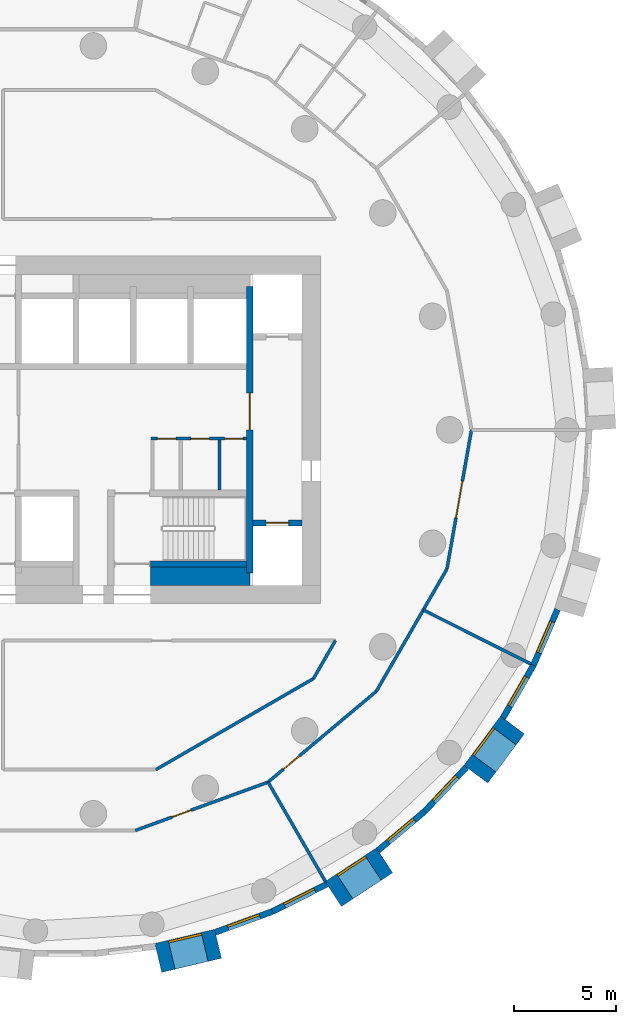
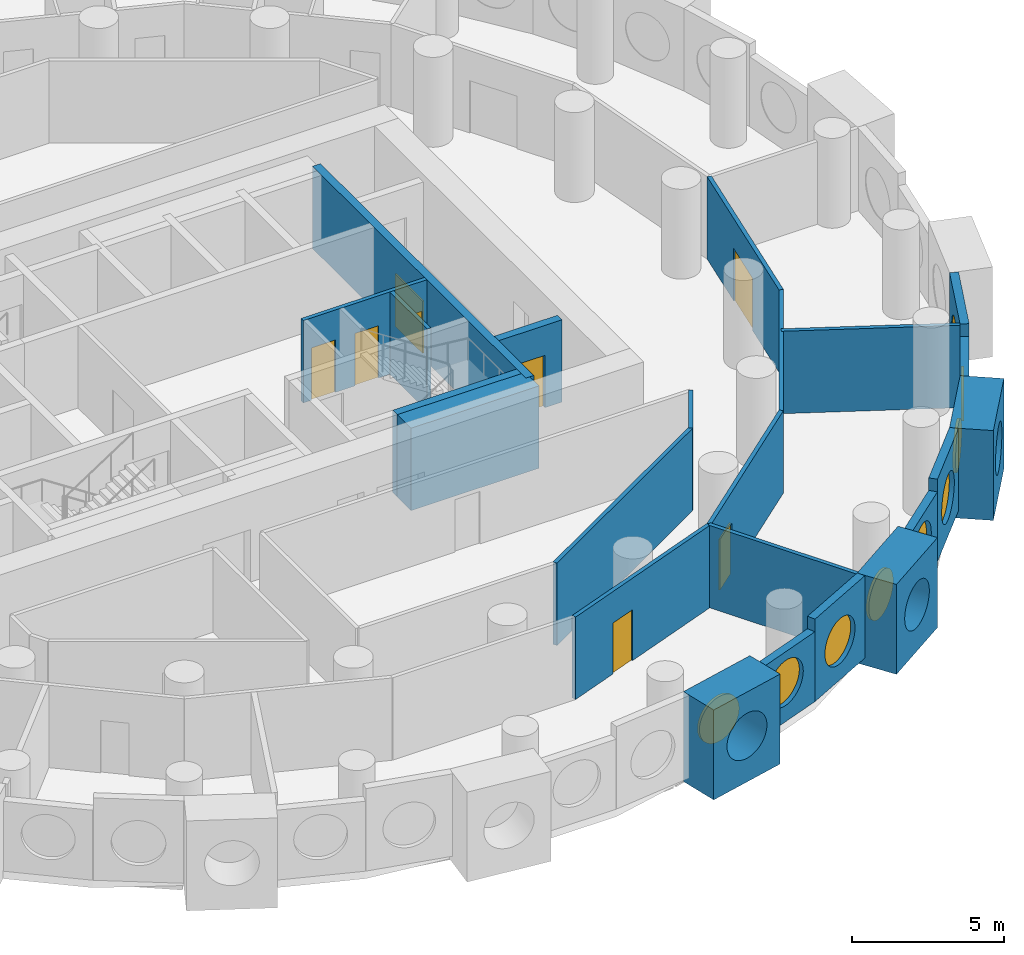
# One storey, part 4 of 9: 23 walls, 9 windows, 8 doors, 17 openings.
"""IFC4 building model written with IfcOpenShell, lengths in metres."""

from ifc_helpers import new_model, si_unit, direction, frame, frame_2d, origin, origin_2d, place, context, subcontext, project, spatial, rectangle, circle, extrude, material, layer, layer_set, type_object, element, fill, save


model = new_model("IFC4")

# Units and contexts
model_context = context("Model", 3, precision=1e-05, world=origin(), true_north=direction((0.0, 1.0)))
body_context = subcontext(model_context, "Body", "Model", "MODEL_VIEW")
ifc_project = project(units=[si_unit("LENGTHUNIT", "METRE"), si_unit("AREAUNIT", "SQUARE_METRE"), si_unit("VOLUMEUNIT", "CUBIC_METRE"), si_unit("PLANEANGLEUNIT", "RADIAN"), si_unit("MASSUNIT", "GRAM", prefix="KILO")], contexts=[model_context])

# Site, building, storey
site_placement = place(None, origin())
site = spatial("IfcSite", under=ifc_project, at=site_placement, CompositionType="ELEMENT")
building_placement = place(site_placement, origin())
building = spatial("IfcBuilding", under=site, at=building_placement, Name="Tracery Tower", CompositionType="ELEMENT")
storey_placement = place(building_placement, frame((0.0, 0.0, 154.800048828125)))
storey = spatial("IfcBuildingStorey", under=building, at=storey_placement, Name="L39", CompositionType="ELEMENT", Elevation=154.800048828125)

# Wall, openings, doors
ifc_material_1 = material(Name="Plasterboard on steel studs", Category="steel")
ifc_layer_1 = layer(ifc_material_1, 0.14990234375)
ifc_layer_set_1 = layer_set([ifc_layer_1], Name="Core room partition 150")
wall_type_1 = type_object("IfcWallType", Name="Core room partition 150", PredefinedType="SOLIDWALL", material=ifc_layer_set_1)
wall_1_placement = place(storey_placement, frame((4.22509765625, -0.425048828125, 0.0), z_axis=(0.0, 0.0, 1.0), x_axis=(1.0, 0.0, 0.0)))
wall_1 = element("IfcWall", 1, at=wall_1_placement, inside=storey, type_object=wall_type_1, Name="L39 slot N", PredefinedType="SOLIDWALL", context=body_context, shape_type="SweptSolid", body=[
    extrude(rectangle(XDim=4.6748046875, YDim=0.14990234375, at=frame_2d((2.33740234375, 0.0))), origin(), (0.0, 0.0, 1.0), 3.300048828125),
])
opening_1_placement = place(wall_1_placement, frame((0.3125, 0.0, 0.0)))
opening_1 = element("IfcOpeningElement", 2, at=opening_1_placement, cuts=wall_1, Name="Opening KD32", PredefinedType="OPENING", context=body_context, shape_type="SweptSolid", body=[
    extrude(rectangle(XDim=0.89990234375, YDim=2.10009765625, at=frame_2d((0.449951171875, 1.050048828125))), frame((0.0, 0.074951171875, 0.0), z_axis=(0.0, -1.0, 0.0), x_axis=(1.0, 0.0, 0.0)), (0.0, 0.0, 1.0), 0.14990234375),
])
opening_2_placement = place(wall_1_placement, frame((1.949951171875, 0.0, 0.0)))
opening_2 = element("IfcOpeningElement", 3, at=opening_2_placement, cuts=wall_1, Name="Opening KD21", PredefinedType="OPENING", context=body_context, shape_type="SweptSolid", body=[
    extrude(rectangle(XDim=0.89990234375, YDim=2.10009765625, at=frame_2d((0.449951171875, 1.050048828125))), frame((0.0, 0.074951171875, 0.0), z_axis=(0.0, -1.0, 0.0), x_axis=(1.0, 0.0, 0.0)), (0.0, 0.0, 1.0), 0.14990234375),
])
opening_3_placement = place(wall_1_placement, frame((3.60009765625, 0.0, 0.0)))
opening_3 = element("IfcOpeningElement", 4, at=opening_3_placement, cuts=wall_1, Name="Opening KD27", PredefinedType="OPENING", context=body_context, shape_type="SweptSolid", body=[
    extrude(rectangle(XDim=0.89990234375, YDim=2.10009765625, at=frame_2d((0.449951171875, 1.050048828125))), frame((0.0, 0.074951171875, 0.0), z_axis=(0.0, -1.0, 0.0), x_axis=(1.0, 0.0, 0.0)), (0.0, 0.0, 1.0), 0.14990234375),
])
ifc_material_2 = material(Name="Timber door leaf", Category="wood")
door_type_1 = type_object("IfcDoorType", Name="Core WC door 900", OperationType="NOTDEFINED", PredefinedType="DOOR", material=ifc_material_2)
door_1_placement = place(opening_2_placement, origin())
door_1 = element("IfcDoor", 5, at=door_1_placement, inside=storey, type_object=door_type_1, Name="Core door", OperationType="SINGLE_SWING_LEFT", OverallHeight=2.10009765625, OverallWidth=0.89990234375, PredefinedType="DOOR", context=body_context, shape_type="SweptSolid", body=[
    extrude(rectangle(XDim=0.89990234375, YDim=2.10009765625, at=frame_2d((0.449951171875, 1.050048828125))), frame((0.0, 0.02490234375, 0.0), z_axis=(0.0, -1.0, 0.0), x_axis=(1.0, 0.0, 0.0)), (0.0, 0.0, 1.0), 0.050048828125),
])
fill(opening_2, door_1)
ifc_material_3 = material(Name="Steel fire door", Category="steel")
door_type_2 = type_object("IfcDoorType", Name="Core riser door 900", OperationType="NOTDEFINED", PredefinedType="DOOR", material=ifc_material_3)
door_2_placement = place(opening_1_placement, origin())
door_2 = element("IfcDoor", 6, at=door_2_placement, inside=storey, type_object=door_type_2, Name="Core door", OperationType="SINGLE_SWING_RIGHT", OverallHeight=2.10009765625, OverallWidth=0.89990234375, PredefinedType="DOOR", context=body_context, shape_type="SweptSolid", body=[
    extrude(rectangle(XDim=0.89990234375, YDim=2.10009765625, at=frame_2d((0.449951171875, 1.050048828125))), frame((0.0, 0.02490234375, 0.0), z_axis=(0.0, -1.0, 0.0), x_axis=(1.0, 0.0, 0.0)), (0.0, 0.0, 1.0), 0.050048828125),
])
fill(opening_1, door_2)
ifc_material_4 = material(Name="Timber door leaf", Category="wood")
door_type_3 = type_object("IfcDoorType", Name="Core store door 900", OperationType="NOTDEFINED", PredefinedType="DOOR", material=ifc_material_4)
door_3_placement = place(opening_3_placement, origin())
door_3 = element("IfcDoor", 7, at=door_3_placement, inside=storey, type_object=door_type_3, Name="Core door", OperationType="SINGLE_SWING_RIGHT", OverallHeight=2.10009765625, OverallWidth=0.89990234375, PredefinedType="DOOR", context=body_context, shape_type="SweptSolid", body=[
    extrude(rectangle(XDim=0.89990234375, YDim=2.10009765625, at=frame_2d((0.449951171875, 1.050048828125))), frame((0.0, 0.02490234375, 0.0), z_axis=(0.0, -1.0, 0.0), x_axis=(1.0, 0.0, 0.0)), (0.0, 0.0, 1.0), 0.050048828125),
])
fill(opening_3, door_3)

# Walls
wall_2_placement = place(storey_placement, frame((7.574951171875, -2.949951171875, 0.0), z_axis=(0.0, 0.0, 1.0), x_axis=(0.0, 1.0, 0.0)))
element("IfcWall", 8, at=wall_2_placement, inside=storey, type_object=wall_type_1, Name="L39 slot sep 2", PredefinedType="SOLIDWALL", context=body_context, shape_type="SweptSolid", body=[
    extrude(rectangle(XDim=2.449951171875, YDim=0.14990234375, at=frame_2d((1.22509765625, 0.0))), origin(), (0.0, 0.0, 1.0), 3.300048828125),
])
ifc_material_5 = material(Name="Concrete C50/60", Category="concrete")
ifc_layer_2 = layer(ifc_material_5, 0.89990234375)
ifc_layer_set_2 = layer_set([ifc_layer_2], Name="Core strip wall 900 C50")
wall_type_2 = type_object("IfcWallType", Name="Core strip wall 900 C50", PredefinedType="SOLIDWALL", material=ifc_layer_set_2)
wall_3_placement = place(storey_placement, frame((4.199951171875, -7.14990234375, 0.0), z_axis=(0.0, 0.0, 1.0), x_axis=(1.0, 0.0, 0.0)))
element("IfcWall", 9, at=wall_3_placement, inside=storey, type_object=wall_type_2, Name="L39 F thick S E", PredefinedType="SOLIDWALL", context=body_context, shape_type="SweptSolid", body=[
    extrude(rectangle(XDim=4.85009765625, YDim=0.89990234375, at=frame_2d((2.425048828125, 0.0))), origin(), (0.0, 0.0, 1.0), 3.300048828125),
])

# Wall, opening, window
ifc_material_6 = material(Name="Precast concrete C50/60", Category="concrete")
ifc_layer_3 = layer(ifc_material_6, 1.449951171875)
ifc_layer_set_3 = layer_set([ifc_layer_3], Name="Deep-set bay unit 3000 x 3600, slab edge 300")
wall_type_3 = type_object("IfcWallType", Name="Deep-set bay unit 3000 x 3600, slab edge 300", PredefinedType="ELEMENTEDWALL", material=ifc_layer_set_3)
wall_4_placement = place(storey_placement, frame((4.57763671875, -25.8193359375, -0.300048828125), z_axis=(0.0, 0.0, 1.0), x_axis=(0.973042333261, 0.23062657627, 0.0)))
wall_4 = element("IfcWall", 10, at=wall_4_placement, inside=storey, type_object=wall_type_3, Name="Deep-set bay unit 43 at L39", PredefinedType="ELEMENTEDWALL", context=body_context, shape_type="SweptSolid", body=[
    extrude(rectangle(XDim=3.0, YDim=1.449951171875, at=frame_2d((1.5, 0.0))), origin(), (0.0, 0.0, 1.0), 3.60009765625),
])
opening_4_placement = place(wall_4_placement, frame((1.5, 0.0, 1.85009765625)))
opening_4 = element("IfcOpeningElement", 11, at=opening_4_placement, cuts=wall_4, Name="Opening WN1", PredefinedType="OPENING", context=body_context, shape_type="SweptSolid", body=[
    extrude(circle(Radius=0.9000244140625, at=origin_2d()), frame((0.0, 0.73486328125, 0.0), z_axis=(0.0, -1.0, 0.0), x_axis=(1.0, 0.0, 0.0)), (0.0, 0.0, 1.0), 1.469970703125),
])
ifc_material_7 = material(Name="Aluminium frame with tinted double glazing", Category="aluminium")
window_type = type_object("IfcWindowType", Name="Round window 1800", PartitioningType="SINGLE_PANEL", PredefinedType="WINDOW", material=ifc_material_7)
window_1_placement = place(opening_4_placement, origin())
window_1 = element("IfcWindow", 12, at=window_1_placement, inside=storey, type_object=window_type, Name="Round window 43 at L39", OverallHeight=1.800048828125, OverallWidth=1.800048828125, PartitioningType="SINGLE_PANEL", PredefinedType="WINDOW", context=body_context, shape_type="SweptSolid", body=[
    extrude(circle(Radius=0.9000244140625, at=origin_2d()), frame((0.0, 0.69482421875, 0.0), z_axis=(0.0, -1.0, 0.0), x_axis=(1.0, 0.0, 0.0)), (0.0, 0.0, 1.0), 0.10009765625),
])
fill(opening_4, window_1)

wall_5_placement = place(storey_placement, frame((13.13232421875, -22.696533203125, -0.300048828125), z_axis=(0.0, 0.0, 1.0), x_axis=(0.835514416706, 0.549468524554, 0.0)))
wall_5 = element("IfcWall", 13, at=wall_5_placement, inside=storey, type_object=wall_type_3, Name="Deep-set bay unit 46 at L39", PredefinedType="ELEMENTEDWALL", context=body_context, shape_type="SweptSolid", body=[
    extrude(rectangle(XDim=3.0, YDim=1.449951171875, at=frame_2d((1.5, 0.0))), origin(), (0.0, 0.0, 1.0), 3.60009765625),
])
opening_5_placement = place(wall_5_placement, frame((1.5, 0.0, 1.85009765625)))
opening_5 = element("IfcOpeningElement", 14, at=opening_5_placement, cuts=wall_5, Name="Opening WN1", PredefinedType="OPENING", context=body_context, shape_type="SweptSolid", body=[
    extrude(circle(Radius=0.9000244140625, at=origin_2d()), frame((0.0, 0.73486328125, 0.0), z_axis=(0.0, -1.0, 0.0), x_axis=(1.0, 0.0, 0.0)), (0.0, 0.0, 1.0), 1.469970703125),
])
window_2_placement = place(opening_5_placement, origin())
window_2 = element("IfcWindow", 15, at=window_2_placement, inside=storey, type_object=window_type, Name="Round window 46 at L39", OverallHeight=1.800048828125, OverallWidth=1.800048828125, PartitioningType="SINGLE_PANEL", PredefinedType="WINDOW", context=body_context, shape_type="SweptSolid", body=[
    extrude(circle(Radius=0.9000244140625, at=origin_2d()), frame((0.0, 0.69482421875, 0.0), z_axis=(0.0, -1.0, 0.0), x_axis=(1.0, 0.0, 0.0)), (0.0, 0.0, 1.0), 0.10009765625),
])
fill(opening_5, window_2)

wall_6_placement = place(storey_placement, frame((20.10302734375, -16.836181640625, -0.300048828125), z_axis=(0.0, 0.0, 1.0), x_axis=(0.597183717734, 0.802104486506, 0.0)))
wall_6 = element("IfcWall", 16, at=wall_6_placement, inside=storey, type_object=wall_type_3, Name="Deep-set bay unit 49 at L39", PredefinedType="ELEMENTEDWALL", context=body_context, shape_type="SweptSolid", body=[
    extrude(rectangle(XDim=3.0, YDim=1.449951171875, at=frame_2d((1.5, 0.0))), origin(), (0.0, 0.0, 1.0), 3.60009765625),
])
opening_6_placement = place(wall_6_placement, frame((1.5, 0.0, 1.85009765625)))
opening_6 = element("IfcOpeningElement", 17, at=opening_6_placement, cuts=wall_6, Name="Opening WN1", PredefinedType="OPENING", context=body_context, shape_type="SweptSolid", body=[
    extrude(circle(Radius=0.9000244140625, at=origin_2d()), frame((0.0, 0.73486328125, 0.0), z_axis=(0.0, -1.0, 0.0), x_axis=(1.0, 0.0, 0.0)), (0.0, 0.0, 1.0), 1.469970703125),
])
window_3_placement = place(opening_6_placement, origin())
window_3 = element("IfcWindow", 18, at=window_3_placement, inside=storey, type_object=window_type, Name="Round window 49 at L39", OverallHeight=1.800048828125, OverallWidth=1.800048828125, PartitioningType="SINGLE_PANEL", PredefinedType="WINDOW", context=body_context, shape_type="SweptSolid", body=[
    extrude(circle(Radius=0.9000244140625, at=origin_2d()), frame((0.0, 0.69482421875, 0.0), z_axis=(0.0, -1.0, 0.0), x_axis=(1.0, 0.0, 0.0)), (0.0, 0.0, 1.0), 0.10009765625),
])
fill(opening_6, window_3)

ifc_material_8 = material(Name="Precast concrete C50/60", Category="concrete")
ifc_layer_4 = layer(ifc_material_8, 0.300048828125)
ifc_layer_set_4 = layer_set([ifc_layer_4], Name="Facade panel 3000 x 2800")
wall_type_4 = type_object("IfcWallType", Name="Facade panel 3000 x 2800", PredefinedType="SOLIDWALL", material=ifc_layer_set_4)
wall_7_placement = place(storey_placement, frame((7.36474609375, -24.566650390625, 0.0), z_axis=(0.0, 0.0, 1.0), x_axis=(0.939690282133, 0.342026568652, 0.0)))
wall_7 = element("IfcWall", 19, at=wall_7_placement, inside=storey, type_object=wall_type_4, Name="Facade panel 44 at L39", PredefinedType="SOLIDWALL", context=body_context, shape_type="SweptSolid", body=[
    extrude(rectangle(XDim=2.972900390625, YDim=0.300048828125, at=frame_2d((1.486328125, 0.0))), origin(), (0.0, 0.0, 1.0), 2.800048828125),
])
opening_7_placement = place(wall_7_placement, frame((1.486328125, 0.0, 1.5498046875)))
opening_7 = element("IfcOpeningElement", 20, at=opening_7_placement, cuts=wall_7, Name="Opening WN1", PredefinedType="OPENING", context=body_context, shape_type="SweptSolid", body=[
    extrude(circle(Radius=0.9000244140625, at=origin_2d()), frame((0.0, 0.159912109375, 0.0), z_axis=(0.0, -1.0, 0.0), x_axis=(1.0, 0.0, 0.0)), (0.0, 0.0, 1.0), 0.320068359375),
])
window_4_placement = place(opening_7_placement, origin())
window_4 = element("IfcWindow", 21, at=window_4_placement, inside=storey, type_object=window_type, Name="Round window 44 at L39", OverallHeight=1.800048828125, OverallWidth=1.800048828125, PartitioningType="SINGLE_PANEL", PredefinedType="WINDOW", context=body_context, shape_type="SweptSolid", body=[
    extrude(circle(Radius=0.9000244140625, at=origin_2d()), frame((0.0, 0.1201171875, 0.0), z_axis=(0.0, -1.0, 0.0), x_axis=(1.0, 0.0, 0.0)), (0.0, 0.0, 1.0), 0.10009765625),
])
fill(opening_7, window_4)

wall_8_placement = place(storey_placement, frame((15.322998046875, -20.566162109375, 0.0), z_axis=(0.0, 0.0, 1.0), x_axis=(0.766049350637, 0.642781761089, 0.0)))
wall_8 = element("IfcWall", 22, at=wall_8_placement, inside=storey, type_object=wall_type_4, Name="Facade panel 47 at L39", PredefinedType="SOLIDWALL", context=body_context, shape_type="SweptSolid", body=[
    extrude(rectangle(XDim=2.972900390625, YDim=0.300048828125, at=frame_2d((1.486328125, 0.0))), origin(), (0.0, 0.0, 1.0), 2.800048828125),
])
opening_8_placement = place(wall_8_placement, frame((1.486328125, 0.0, 1.5498046875)))
opening_8 = element("IfcOpeningElement", 23, at=opening_8_placement, cuts=wall_8, Name="Opening WN1", PredefinedType="OPENING", context=body_context, shape_type="SweptSolid", body=[
    extrude(circle(Radius=0.9000244140625, at=origin_2d()), frame((0.0, 0.159912109375, 0.0), z_axis=(0.0, -1.0, 0.0), x_axis=(1.0, 0.0, 0.0)), (0.0, 0.0, 1.0), 0.320068359375),
])
window_5_placement = place(opening_8_placement, origin())
window_5 = element("IfcWindow", 24, at=window_5_placement, inside=storey, type_object=window_type, Name="Round window 47 at L39", OverallHeight=1.800048828125, OverallWidth=1.800048828125, PartitioningType="SINGLE_PANEL", PredefinedType="WINDOW", context=body_context, shape_type="SweptSolid", body=[
    extrude(circle(Radius=0.9000244140625, at=origin_2d()), frame((0.0, 0.1201171875, 0.0), z_axis=(0.0, -1.0, 0.0), x_axis=(1.0, 0.0, 0.0)), (0.0, 0.0, 1.0), 0.10009765625),
])
fill(opening_8, window_5)

wall_9_placement = place(storey_placement, frame((21.432861328125, -14.085205078125, 0.0), z_axis=(0.0, 0.0, 1.0), x_axis=(0.500016263033, 0.866016014115, 0.0)))
wall_9 = element("IfcWall", 25, at=wall_9_placement, inside=storey, type_object=wall_type_4, Name="Facade panel 50 at L39", PredefinedType="SOLIDWALL", context=body_context, shape_type="SweptSolid", body=[
    extrude(rectangle(XDim=2.97314453125, YDim=0.300048828125, at=frame_2d((1.486572265625, 0.0))), origin(), (0.0, 0.0, 1.0), 2.800048828125),
])
opening_9_placement = place(wall_9_placement, frame((1.486328125, 0.0, 1.5498046875)))
opening_9 = element("IfcOpeningElement", 26, at=opening_9_placement, cuts=wall_9, Name="Opening WN1", PredefinedType="OPENING", context=body_context, shape_type="SweptSolid", body=[
    extrude(circle(Radius=0.9000244140625, at=origin_2d()), frame((0.0, 0.159912109375, 0.0), z_axis=(0.0, -1.0, 0.0), x_axis=(1.0, 0.0, 0.0)), (0.0, 0.0, 1.0), 0.320068359375),
])
window_6_placement = place(opening_9_placement, origin())
window_6 = element("IfcWindow", 27, at=window_6_placement, inside=storey, type_object=window_type, Name="Round window 50 at L39", OverallHeight=1.800048828125, OverallWidth=1.800048828125, PartitioningType="SINGLE_PANEL", PredefinedType="WINDOW", context=body_context, shape_type="SweptSolid", body=[
    extrude(circle(Radius=0.9000244140625, at=origin_2d()), frame((0.0, 0.1201171875, 0.0), z_axis=(0.0, -1.0, 0.0), x_axis=(1.0, 0.0, 0.0)), (0.0, 0.0, 1.0), 0.10009765625),
])
fill(opening_9, window_6)

ifc_material_9 = material(Name="Precast concrete C50/60", Category="concrete")
ifc_layer_5 = layer(ifc_material_9, 0.300048828125)
ifc_layer_set_5 = layer_set([ifc_layer_5], Name="Facade panel 3000 x 3300")
wall_type_5 = type_object("IfcWallType", Name="Facade panel 3000 x 3300", PredefinedType="SOLIDWALL", material=ifc_layer_set_5)
wall_10_placement = place(storey_placement, frame((10.158447265625, -23.5498046875, 0.0), z_axis=(0.0, 0.0, 1.0), x_axis=(0.893637442555, 0.448789618045, 0.0)))
wall_10 = element("IfcWall", 28, at=wall_10_placement, inside=storey, type_object=wall_type_5, Name="Facade panel 45 at L39", PredefinedType="SOLIDWALL", context=body_context, shape_type="SweptSolid", body=[
    extrude(rectangle(XDim=2.972900390625, YDim=0.300048828125, at=frame_2d((1.486328125, 0.0))), origin(), (0.0, 0.0, 1.0), 3.300048828125),
])
opening_10_placement = place(wall_10_placement, frame((1.486328125, 0.0, 1.5498046875)))
opening_10 = element("IfcOpeningElement", 29, at=opening_10_placement, cuts=wall_10, Name="Opening WN1", PredefinedType="OPENING", context=body_context, shape_type="SweptSolid", body=[
    extrude(circle(Radius=0.9000244140625, at=origin_2d()), frame((0.0, 0.159912109375, 0.0), z_axis=(0.0, -1.0, 0.0), x_axis=(1.0, 0.0, 0.0)), (0.0, 0.0, 1.0), 0.320068359375),
])
window_7_placement = place(opening_10_placement, origin())
window_7 = element("IfcWindow", 30, at=window_7_placement, inside=storey, type_object=window_type, Name="Round window 45 at L39", OverallHeight=1.800048828125, OverallWidth=1.800048828125, PartitioningType="SINGLE_PANEL", PredefinedType="WINDOW", context=body_context, shape_type="SweptSolid", body=[
    extrude(circle(Radius=0.9000244140625, at=origin_2d()), frame((0.0, 0.1201171875, 0.0), z_axis=(0.0, -1.0, 0.0), x_axis=(1.0, 0.0, 0.0)), (0.0, 0.0, 1.0), 0.10009765625),
])
fill(opening_10, window_7)

wall_11_placement = place(storey_placement, frame((17.600341796875, -18.6552734375, 0.0), z_axis=(0.0, 0.0, 1.0), x_axis=(0.686235184166, 0.727379730273, 0.0)))
wall_11 = element("IfcWall", 31, at=wall_11_placement, inside=storey, type_object=wall_type_5, Name="Facade panel 48 at L39", PredefinedType="SOLIDWALL", context=body_context, shape_type="SweptSolid", body=[
    extrude(rectangle(XDim=2.972900390625, YDim=0.300048828125, at=frame_2d((1.486328125, 0.0))), origin(), (0.0, 0.0, 1.0), 3.300048828125),
])
opening_11_placement = place(wall_11_placement, frame((1.486328125, 0.0, 1.5498046875)))
opening_11 = element("IfcOpeningElement", 32, at=opening_11_placement, cuts=wall_11, Name="Opening WN1", PredefinedType="OPENING", context=body_context, shape_type="SweptSolid", body=[
    extrude(circle(Radius=0.9000244140625, at=origin_2d()), frame((0.0, 0.159912109375, 0.0), z_axis=(0.0, -1.0, 0.0), x_axis=(1.0, 0.0, 0.0)), (0.0, 0.0, 1.0), 0.320068359375),
])
window_8_placement = place(opening_11_placement, origin())
window_8 = element("IfcWindow", 33, at=window_8_placement, inside=storey, type_object=window_type, Name="Round window 48 at L39", OverallHeight=1.800048828125, OverallWidth=1.800048828125, PartitioningType="SINGLE_PANEL", PredefinedType="WINDOW", context=body_context, shape_type="SweptSolid", body=[
    extrude(circle(Radius=0.9000244140625, at=origin_2d()), frame((0.0, 0.1201171875, 0.0), z_axis=(0.0, -1.0, 0.0), x_axis=(1.0, 0.0, 0.0)), (0.0, 0.0, 1.0), 0.10009765625),
])
fill(opening_11, window_8)

wall_12_placement = place(storey_placement, frame((22.91943359375, -11.510498046875, 0.0), z_axis=(0.0, 0.0, 1.0), x_axis=(0.396078892785, 0.918216483565, 0.0)))
wall_12 = element("IfcWall", 34, at=wall_12_placement, inside=storey, type_object=wall_type_5, Name="Facade panel 51 at L39", PredefinedType="SOLIDWALL", context=body_context, shape_type="SweptSolid", body=[
    extrude(rectangle(XDim=2.972900390625, YDim=0.300048828125, at=frame_2d((1.486328125, 0.0))), origin(), (0.0, 0.0, 1.0), 3.300048828125),
])
opening_12_placement = place(wall_12_placement, frame((1.486328125, 0.0, 1.5498046875)))
opening_12 = element("IfcOpeningElement", 35, at=opening_12_placement, cuts=wall_12, Name="Opening WN1", PredefinedType="OPENING", context=body_context, shape_type="SweptSolid", body=[
    extrude(circle(Radius=0.9000244140625, at=origin_2d()), frame((0.0, 0.159912109375, 0.0), z_axis=(0.0, -1.0, 0.0), x_axis=(1.0, 0.0, 0.0)), (0.0, 0.0, 1.0), 0.320068359375),
])
window_9_placement = place(opening_12_placement, origin())
window_9 = element("IfcWindow", 36, at=window_9_placement, inside=storey, type_object=window_type, Name="Round window 51 at L39", OverallHeight=1.800048828125, OverallWidth=1.800048828125, PartitioningType="SINGLE_PANEL", PredefinedType="WINDOW", context=body_context, shape_type="SweptSolid", body=[
    extrude(circle(Radius=0.9000244140625, at=origin_2d()), frame((0.0, 0.1201171875, 0.0), z_axis=(0.0, -1.0, 0.0), x_axis=(1.0, 0.0, 0.0)), (0.0, 0.0, 1.0), 0.10009765625),
])
fill(opening_12, window_9)

# Walls
ifc_material_10 = material(Name="Plasterboard on steel studs", Category="steel")
ifc_layer_6 = layer(ifc_material_10, 0.14990234375)
ifc_layer_set_6 = layer_set([ifc_layer_6], Name="Partition 150 acoustic unit wall")
wall_type_6 = type_object("IfcWallType", Name="Partition 150 acoustic unit wall", PredefinedType="PARTITIONING", material=ifc_layer_set_6)
wall_13_placement = place(storey_placement, frame((9.944091796875, -17.222900390625, 0.0), z_axis=(0.0, 0.0, 1.0), x_axis=(0.500010020406, -0.866019618423, 0.0)))
element("IfcWall", 37, at=wall_13_placement, inside=storey, type_object=wall_type_6, Name="Unit wall RB3-056", PredefinedType="PARTITIONING", context=body_context, shape_type="SweptSolid", body=[
    extrude(rectangle(XDim=5.60986328125, YDim=0.14990234375, at=frame_2d((2.804931640625, 0.0))), origin(), (0.0, 0.0, 1.0), 3.300048828125),
])
wall_14_placement = place(storey_placement, frame((17.531982421875, -8.804931640625, 0.0), z_axis=(0.0, 0.0, 1.0), x_axis=(0.893628331628, -0.448807759415, 0.0)))
element("IfcWall", 38, at=wall_14_placement, inside=storey, type_object=wall_type_6, Name="Unit wall RB3-057", PredefinedType="PARTITIONING", context=body_context, shape_type="SweptSolid", body=[
    extrude(rectangle(XDim=5.878173828125, YDim=0.14990234375, at=frame_2d((2.93896484375, 0.0))), origin(), (0.0, 0.0, 1.0), 3.300048828125),
])
ifc_material_11 = material(Name="Plasterboard on steel studs", Category="steel")
ifc_layer_7 = layer(ifc_material_11, 0.14990234375)
ifc_layer_set_7 = layer_set([ifc_layer_7], Name="Partition 150 corridor wall")
wall_type_7 = type_object("IfcWallType", Name="Partition 150 corridor wall", PredefinedType="PARTITIONING", material=ifc_layer_set_7)
wall_15_placement = place(storey_placement, frame((12.162109375, -12.162109375, 0.0), z_axis=(0.0, 0.0, 1.0), x_axis=(0.499961633463, 0.866047553582, 0.0)))
element("IfcWall", 39, at=wall_15_placement, inside=storey, type_object=wall_type_7, Name="Corridor wall RB3-006", PredefinedType="PARTITIONING", context=body_context, shape_type="SweptSolid", body=[
    extrude(rectangle(XDim=2.150146484375, YDim=0.14990234375, at=frame_2d((1.0751953125, 0.0))), origin(), (0.0, 0.0, 1.0), 3.300048828125),
])
wall_16_placement = place(storey_placement, frame((15.235107421875, -12.783935546875, 0.0), z_axis=(0.0, 0.0, 1.0), x_axis=(0.499914202267, 0.866074933462, 0.0)))
element("IfcWall", 40, at=wall_16_placement, inside=storey, type_object=wall_type_7, Name="Corridor wall RB3-010", PredefinedType="PARTITIONING", context=body_context, shape_type="SweptSolid", body=[
    extrude(rectangle(XDim=6.906982421875, YDim=0.14990234375, at=frame_2d((3.45361328125, 0.0))), origin(), (0.0, 0.0, 1.0), 3.300048828125),
])

# Wall, opening, door
wall_17_placement = place(storey_placement, frame((9.943359375, -17.22216796875, 0.0), z_axis=(0.0, 0.0, 1.0), x_axis=(0.766192104565, 0.642611592567, 0.0)))
wall_17 = element("IfcWall", 41, at=wall_17_placement, inside=storey, type_object=wall_type_7, Name="Corridor wall RB3-011", PredefinedType="PARTITIONING", context=body_context, shape_type="SweptSolid", body=[
    extrude(rectangle(XDim=6.906494140625, YDim=0.14990234375, at=frame_2d((3.453125, 0.0))), origin(), (0.0, 0.0, 1.0), 3.300048828125),
])
opening_13_placement = place(wall_17_placement, frame((0.983642578125, 0.0, 0.0)))
opening_13 = element("IfcOpeningElement", 42, at=opening_13_placement, cuts=wall_17, Name="Opening RB3-18", PredefinedType="OPENING", context=body_context, shape_type="SweptSolid", body=[
    extrude(rectangle(XDim=1.0, YDim=2.0400390625, at=frame_2d((0.5, 1.02001953125))), frame((0.0, 0.074951171875, 0.0), z_axis=(0.0, -1.0, 0.0), x_axis=(1.0, 0.0, 0.0)), (0.0, 0.0, 1.0), 0.14990234375),
])
ifc_material_12 = material(Name="Timber door leaf", Category="wood")
door_type_4 = type_object("IfcDoorType", Name="Door communal room 1000", OperationType="NOTDEFINED", PredefinedType="DOOR", material=ifc_material_12)
door_4_placement = place(opening_13_placement, origin())
door_4 = element("IfcDoor", 43, at=door_4_placement, inside=storey, type_object=door_type_4, Name="Communal room door RB3-18", OperationType="SINGLE_SWING_RIGHT", OverallHeight=2.0400390625, OverallWidth=1.0, PredefinedType="DOOR", context=body_context, shape_type="SweptSolid", body=[
    extrude(rectangle(XDim=1.0, YDim=2.0400390625, at=frame_2d((0.5, 1.02001953125))), frame((0.0, 0.02490234375, 0.0), z_axis=(0.0, -1.0, 0.0), x_axis=(1.0, 0.0, 0.0)), (0.0, 0.0, 1.0), 0.050048828125),
])
fill(opening_13, door_4)

wall_18_placement = place(storey_placement, frame((18.68798828125, -6.802001953125, 0.0), z_axis=(0.0, 0.0, 1.0), x_axis=(0.173728873845, 0.98479352069, 0.0)))
wall_18 = element("IfcWall", 44, at=wall_18_placement, inside=storey, type_object=wall_type_7, Name="Corridor wall RB3-012", PredefinedType="PARTITIONING", context=body_context, shape_type="SweptSolid", body=[
    extrude(rectangle(XDim=6.906982421875, YDim=0.14990234375, at=frame_2d((3.45361328125, 0.0))), origin(), (0.0, 0.0, 1.0), 3.300048828125),
])
opening_14_placement = place(wall_18_placement, frame((2.552978515625, 0.0, 0.0)))
opening_14 = element("IfcOpeningElement", 45, at=opening_14_placement, cuts=wall_18, Name="Opening RB3-19", PredefinedType="OPENING", context=body_context, shape_type="SweptSolid", body=[
    extrude(rectangle(XDim=1.800048828125, YDim=2.10009765625, at=frame_2d((0.89990234375, 1.050048828125))), frame((0.0, 0.074951171875, 0.0), z_axis=(0.0, -1.0, 0.0), x_axis=(1.0, 0.0, 0.0)), (0.0, 0.0, 1.0), 0.14990234375),
])
ifc_material_13 = material(Name="Timber door leaf", Category="wood")
door_type_5 = type_object("IfcDoorType", Name="Door double lounge 1800", OperationType="NOTDEFINED", PredefinedType="DOOR", material=ifc_material_13)
door_5_placement = place(opening_14_placement, origin())
door_5 = element("IfcDoor", 46, at=door_5_placement, inside=storey, type_object=door_type_5, Name="Double lounge door RB3-19", OperationType="DOUBLE_DOOR_SINGLE_SWING", OverallHeight=2.10009765625, OverallWidth=1.800048828125, PredefinedType="DOOR", context=body_context, shape_type="SweptSolid", body=[
    extrude(rectangle(XDim=1.800048828125, YDim=2.10009765625, at=frame_2d((0.89990234375, 1.050048828125))), frame((0.0, 0.02490234375, 0.0), z_axis=(0.0, -1.0, 0.0), x_axis=(1.0, 0.0, 0.0)), (0.0, 0.0, 1.0), 0.050048828125),
])
fill(opening_14, door_5)

# Wall
wall_19_placement = place(storey_placement, frame((4.451904296875, -16.614013671875, 0.0), z_axis=(0.0, 0.0, 1.0), x_axis=(0.866005203721, 0.500034985904, 0.0)))
element("IfcWall", 47, at=wall_19_placement, inside=storey, type_object=wall_type_7, Name="Corridor wall RB3-035", PredefinedType="PARTITIONING", context=body_context, shape_type="SweptSolid", body=[
    extrude(rectangle(XDim=8.903076171875, YDim=0.14990234375, at=frame_2d((4.45166015625, 0.0))), origin(), (0.0, 0.0, 1.0), 3.300048828125),
])

# Wall, opening, door
wall_20_placement = place(storey_placement, frame((3.452880859375, -19.5859375, 0.0), z_axis=(0.0, 0.0, 1.0), x_axis=(0.939672634566, 0.342075050021, 0.0)))
wall_20 = element("IfcWall", 48, at=wall_20_placement, inside=storey, type_object=wall_type_7, Name="Corridor wall RB3-037", PredefinedType="PARTITIONING", context=body_context, shape_type="SweptSolid", body=[
    extrude(rectangle(XDim=6.907958984375, YDim=0.14990234375, at=frame_2d((3.4541015625, 0.0))), origin(), (0.0, 0.0, 1.0), 3.300048828125),
])
opening_15_placement = place(wall_20_placement, frame((1.90380859375, 0.0, 0.0)))
opening_15 = element("IfcOpeningElement", 49, at=opening_15_placement, cuts=wall_20, Name="Opening RB3-17", PredefinedType="OPENING", context=body_context, shape_type="SweptSolid", body=[
    extrude(rectangle(XDim=1.0, YDim=2.0400390625, at=frame_2d((0.5, 1.02001953125))), frame((0.0, 0.074951171875, 0.0), z_axis=(0.0, -1.0, 0.0), x_axis=(1.0, 0.0, 0.0)), (0.0, 0.0, 1.0), 0.14990234375),
])
door_6_placement = place(opening_15_placement, origin())
door_6 = element("IfcDoor", 50, at=door_6_placement, inside=storey, type_object=door_type_4, Name="Communal room door RB3-17", OperationType="SINGLE_SWING_RIGHT", OverallHeight=2.0400390625, OverallWidth=1.0, PredefinedType="DOOR", context=body_context, shape_type="SweptSolid", body=[
    extrude(rectangle(XDim=1.0, YDim=2.0400390625, at=frame_2d((0.5, 1.02001953125))), frame((0.0, 0.02490234375, 0.0), z_axis=(0.0, -1.0, 0.0), x_axis=(1.0, 0.0, 0.0)), (0.0, 0.0, 1.0), 0.050048828125),
])
fill(opening_15, door_6)

ifc_material_14 = material(Name="Concrete C50/60", Category="concrete")
ifc_layer_8 = layer(ifc_material_14, 0.300048828125)
ifc_layer_set_8 = layer_set([ifc_layer_8], Name="Shaft wall 300 C50")
wall_type_8 = type_object("IfcWallType", Name="Shaft wall 300 C50", PredefinedType="SOLIDWALL", material=ifc_layer_set_8)
wall_21_placement = place(storey_placement, frame((9.199951171875, -4.550048828125, 0.0), z_axis=(0.0, 0.0, 1.0), x_axis=(1.0, 0.0, 0.0)))
wall_21 = element("IfcWall", 51, at=wall_21_placement, inside=storey, type_object=wall_type_8, Name="L39 MR E -4.55", PredefinedType="SOLIDWALL", context=body_context, shape_type="SweptSolid", body=[
    extrude(rectangle(XDim=2.400146484375, YDim=0.300048828125, at=frame_2d((1.2001953125, 0.0))), origin(), (0.0, 0.0, 1.0), 3.300048828125),
])
opening_16_placement = place(wall_21_placement, frame((0.64990234375, 0.0, 0.0)))
opening_16 = element("IfcOpeningElement", 52, at=opening_16_placement, cuts=wall_21, Name="Opening KD50", PredefinedType="OPENING", context=body_context, shape_type="SweptSolid", body=[
    extrude(rectangle(XDim=1.10009765625, YDim=2.10009765625, at=frame_2d((0.550048828125, 1.050048828125))), frame((0.0, 0.14990234375, 0.0), z_axis=(0.0, -1.0, 0.0), x_axis=(1.0, 0.0, 0.0)), (0.0, 0.0, 1.0), 0.300048828125),
])
ifc_material_15 = material(Name="Steel fire door", Category="steel")
door_type_6 = type_object("IfcDoorType", Name="Landing door 1100", OperationType="NOTDEFINED", PredefinedType="DOOR", material=ifc_material_15)
door_7_placement = place(opening_16_placement, origin())
door_7 = element("IfcDoor", 53, at=door_7_placement, inside=storey, type_object=door_type_6, Name="Landing door MR3", OperationType="SLIDING_TO_RIGHT", OverallHeight=2.10009765625, OverallWidth=1.10009765625, PredefinedType="DOOR", context=body_context, shape_type="SweptSolid", body=[
    extrude(rectangle(XDim=1.10009765625, YDim=2.10009765625, at=frame_2d((0.550048828125, 1.050048828125))), frame((0.0, 0.02490234375, 0.0), z_axis=(0.0, -1.0, 0.0), x_axis=(1.0, 0.0, 0.0)), (0.0, 0.0, 1.0), 0.050048828125),
])
fill(opening_16, door_7)

ifc_material_16 = material(Name="Concrete C50/60", Category="concrete")
ifc_layer_9 = layer(ifc_material_16, 0.300048828125)
ifc_layer_set_9 = layer_set([ifc_layer_9], Name="Stair wall 300 C50")
wall_type_9 = type_object("IfcWallType", Name="Stair wall 300 C50", PredefinedType="SOLIDWALL", material=ifc_layer_set_9)
wall_22_placement = place(storey_placement, frame((9.050048828125, -7.0, 0.0), z_axis=(0.0, 0.0, 1.0), x_axis=(0.0, 1.0, 0.0)))
wall_22 = element("IfcWall", 54, at=wall_22_placement, inside=storey, type_object=wall_type_9, Name="L39 F wall +9", PredefinedType="SOLIDWALL", context=body_context, shape_type="SweptSolid", body=[
    extrude(rectangle(XDim=14.0, YDim=0.300048828125, at=frame_2d((7.0, 0.0))), origin(), (0.0, 0.0, 1.0), 3.300048828125),
])
opening_17_placement = place(wall_22_placement, frame((7.0, 0.0, 0.0)))
opening_17 = element("IfcOpeningElement", 55, at=opening_17_placement, cuts=wall_22, Name="Opening KD13", PredefinedType="OPENING", context=body_context, shape_type="SweptSolid", body=[
    extrude(rectangle(XDim=1.800048828125, YDim=2.10009765625, at=frame_2d((0.89990234375, 1.050048828125))), frame((0.0, 0.14990234375, 0.0), z_axis=(0.0, -1.0, 0.0), x_axis=(1.0, 0.0, 0.0)), (0.0, 0.0, 1.0), 0.300048828125),
])
ifc_material_17 = material(Name="Steel fire door", Category="steel")
door_type_7 = type_object("IfcDoorType", Name="Core exit door 1800 double", OperationType="NOTDEFINED", PredefinedType="DOOR", material=ifc_material_17)
door_8_placement = place(opening_17_placement, origin())
door_8 = element("IfcDoor", 56, at=door_8_placement, inside=storey, type_object=door_type_7, Name="Core exit door", OperationType="DOUBLE_DOOR_SINGLE_SWING", OverallHeight=2.10009765625, OverallWidth=1.800048828125, PredefinedType="DOOR", context=body_context, shape_type="SweptSolid", body=[
    extrude(rectangle(XDim=1.800048828125, YDim=2.10009765625, at=frame_2d((0.89990234375, 1.050048828125))), frame((0.0, 0.02490234375, 0.0), z_axis=(0.0, -1.0, 0.0), x_axis=(1.0, 0.0, 0.0)), (0.0, 0.0, 1.0), 0.050048828125),
])
fill(opening_17, door_8)

# Wall
wall_23_placement = place(storey_placement, frame((4.199951171875, -6.550048828125, 0.0), z_axis=(0.0, 0.0, 1.0), x_axis=(1.0, 0.0, 0.0)))
element("IfcWall", 57, at=wall_23_placement, inside=storey, type_object=wall_type_9, Name="L39 F stair strip S E", PredefinedType="SOLIDWALL", context=body_context, shape_type="SweptSolid", body=[
    extrude(rectangle(XDim=4.699951171875, YDim=0.300048828125, at=frame_2d((2.35009765625, 0.0))), origin(), (0.0, 0.0, 1.0), 3.300048828125),
])

save(model, "model.ifc")
